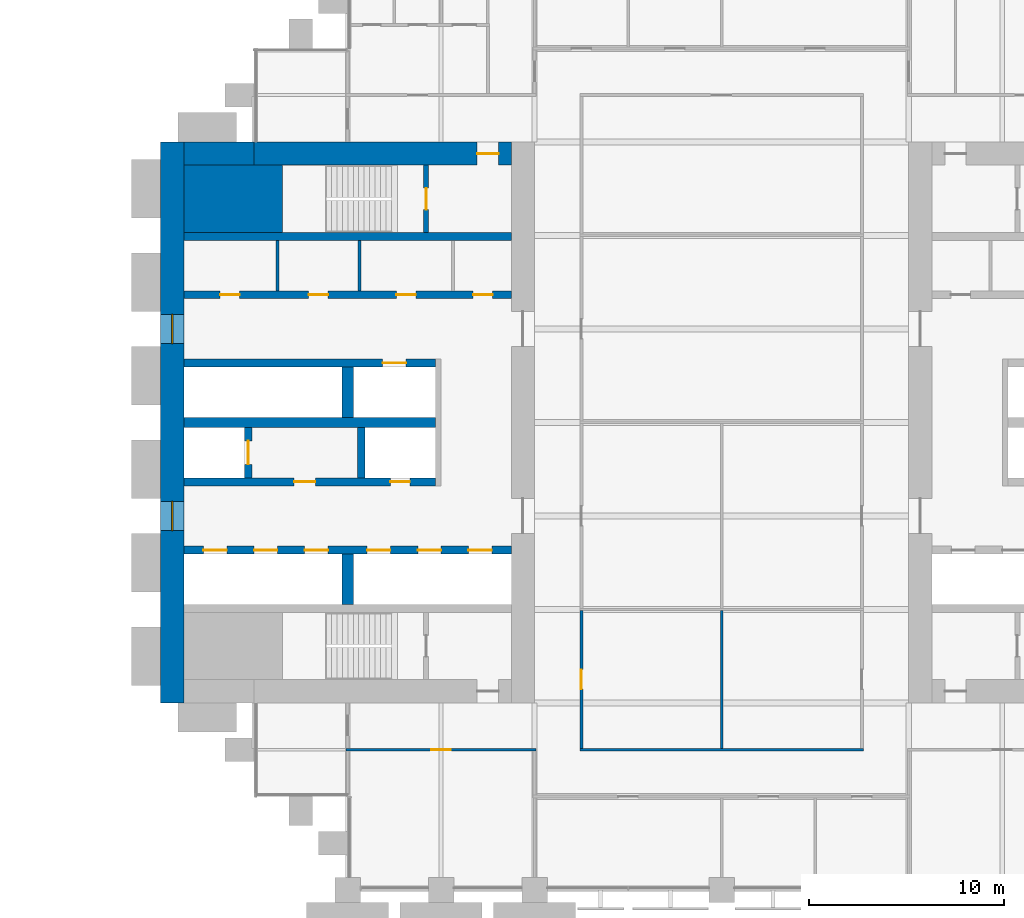
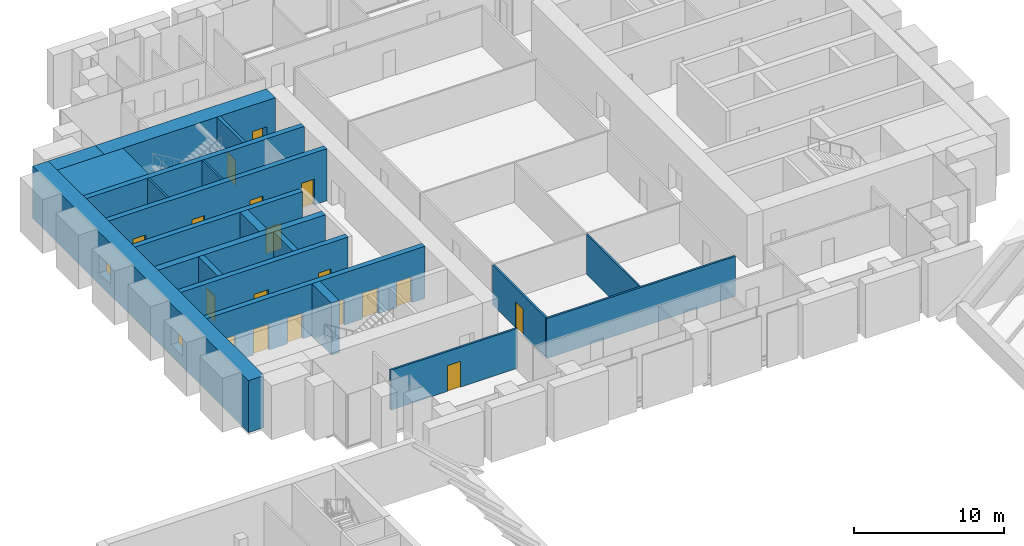
# One storey, part 21 of 30: 21 walls, 18 doors, 2 windows, 20 openings.
"""IFC4 building model written with IfcOpenShell, lengths in metres."""

from ifc_helpers import new_model, si_unit, direction, frame, frame_2d, origin, place, context, subcontext, project, spatial, rectangle, extrude, material, layer, layer_set, type_object, element, fill, save


model = new_model("IFC4")

# Units and contexts
model_context = context("Model", 3, precision=1e-05, world=origin(), true_north=direction((0.0, 1.0)))
body_context = subcontext(model_context, "Body", "Model", "MODEL_VIEW")
ifc_project = project(units=[si_unit("LENGTHUNIT", "METRE"), si_unit("AREAUNIT", "SQUARE_METRE"), si_unit("VOLUMEUNIT", "CUBIC_METRE"), si_unit("PLANEANGLEUNIT", "RADIAN"), si_unit("MASSUNIT", "GRAM", prefix="KILO")], contexts=[model_context])

# Site, building, storey
site_placement = place(None, origin())
site = spatial("IfcSite", under=ifc_project, at=site_placement, CompositionType="ELEMENT")
building_placement = place(site_placement, origin())
building = spatial("IfcBuilding", under=site, at=building_placement, Name="Baori Bourse Tower", CompositionType="ELEMENT")
storey_placement = place(building_placement, frame((0.0, 0.0, 17.0)))
storey = spatial("IfcBuildingStorey", under=building, at=storey_placement, Name="L02", CompositionType="ELEMENT", Elevation=17.0)

# Walls
ifc_material_1 = material(Name="Concrete f'c 70 MPa", Category="concrete")
wall_type_1 = type_object("IfcWallType", Name="Core corner block f'c 70", PredefinedType="SHEAR", material=ifc_material_1)
wall_1_placement = place(storey_placement, frame((1.199951171875, 35.47509765625, 0.0), z_axis=(0.0, 0.0, 1.0), x_axis=(1.0, 0.0, 0.0)))
element("IfcWall", 1, at=wall_1_placement, inside=storey, type_object=wall_type_1, Name="Core wall W22", PredefinedType="SHEAR", context=body_context, shape_type="SweptSolid", body=[
    extrude(rectangle(XDim=5.050048828125, YDim=3.449951171875, at=frame_2d((2.52490234375, 0.0))), origin(), (0.0, 0.0, 1.0), 4.239990234375),
])
ifc_material_2 = material(Name="Blockwork partition", Category="masonry")
ifc_layer_1 = layer(ifc_material_2, 0.14990234375)
ifc_layer_set_1 = layer_set([ifc_layer_1], Name="Core partition 150")
wall_type_2 = type_object("IfcWallType", Name="Core partition 150", PredefinedType="PARTITIONING", material=ifc_layer_set_1)
for number, where, z_axis, x_axis, name in (
    (2, (6.0, 30.75, 0.0), (0.0, 0.0, 1.0), (0.0, 1.0, 0.0), "Partition wall W18"),
    (3, (10.199951171875, 30.75, 0.0), (0.0, 0.0, 1.0), (0.0, 1.0, 0.0), "Partition wall W19"),
):
    element("IfcWall", number, at=place(storey_placement, frame(where, z_axis=z_axis, x_axis=x_axis)), inside=storey, type_object=wall_type_2, Name=name, PredefinedType="PARTITIONING", context=body_context, shape_type="SweptSolid", body=[
        extrude(rectangle(XDim=2.60009765625, YDim=0.14990234375, at=frame_2d((1.300048828125, 0.0))), origin(), (0.0, 0.0, 1.0), 4.239990234375),
    ])

# Wall, openings, windows
ifc_material_3 = material(Name="Concrete f'c 70 MPa", Category="concrete")
ifc_layer_2 = layer(ifc_material_3, 1.199951171875)
ifc_layer_set_2 = layer_set([ifc_layer_2], Name="Core wall 1200 f'c 70")
wall_type_3 = type_object("IfcWallType", Name="Core wall 1200 f'c 70", PredefinedType="SHEAR", material=ifc_layer_set_2)
wall_2_placement = place(storey_placement, frame((0.60009765625, 9.60009765625, 0.0), z_axis=(0.0, 0.0, 1.0), x_axis=(0.0, 1.0, 0.0)))
wall_2 = element("IfcWall", 4, at=wall_2_placement, inside=storey, type_object=wall_type_3, Name="Core wall W01", PredefinedType="SHEAR", context=body_context, shape_type="SweptSolid", body=[
    extrude(rectangle(XDim=28.7998046875, YDim=1.199951171875, at=frame_2d((14.39990234375, 0.0))), origin(), (0.0, 0.0, 1.0), 4.239990234375),
])
opening_1_placement = place(wall_2_placement, frame((8.85009765625, 0.0, 0.89990234375)))
opening_1 = element("IfcOpeningElement", 5, at=opening_1_placement, cuts=wall_2, Name="Opening L02-KW101", PredefinedType="OPENING", context=body_context, shape_type="SweptSolid", body=[
    extrude(rectangle(XDim=1.5, YDim=1.5, at=frame_2d((0.75, 0.75))), frame((0.0, 0.60986328125, 0.0), z_axis=(0.0, -1.0, 0.0), x_axis=(1.0, 0.0, 0.0)), (0.0, 0.0, 1.0), 1.219970703125),
])
opening_2_placement = place(wall_2_placement, frame((18.449951171875, 0.0, 0.89990234375)))
opening_2 = element("IfcOpeningElement", 6, at=opening_2_placement, cuts=wall_2, Name="Opening L02-KW102", PredefinedType="OPENING", context=body_context, shape_type="SweptSolid", body=[
    extrude(rectangle(XDim=1.5, YDim=1.5, at=frame_2d((0.75, 0.75))), frame((0.0, 0.60986328125, 0.0), z_axis=(0.0, -1.0, 0.0), x_axis=(1.0, 0.0, 0.0)), (0.0, 0.0, 1.0), 1.219970703125),
])
ifc_material_4 = material(Name="Pale anodised aluminium", Category="aluminium")
window_type = type_object("IfcWindowType", Name="Lobby window 1500 x 1500", PartitioningType="SINGLE_PANEL", PredefinedType="WINDOW", material=ifc_material_4)
window_1_placement = place(opening_1_placement, origin())
window_1 = element("IfcWindow", 7, at=window_1_placement, inside=storey, type_object=window_type, Name="Outer wall window W L02 1", OverallHeight=1.5, OverallWidth=1.5, PartitioningType="SINGLE_PANEL", PredefinedType="WINDOW", context=body_context, shape_type="SweptSolid", body=[
    extrude(rectangle(XDim=1.5, YDim=1.5, at=frame_2d((0.75, 0.75))), frame((0.0, 0.030029296875, 0.0), z_axis=(0.0, -1.0, 0.0), x_axis=(1.0, 0.0, 0.0)), (0.0, 0.0, 1.0), 0.06005859375),
])
fill(opening_1, window_1)
window_2_placement = place(opening_2_placement, origin())
window_2 = element("IfcWindow", 8, at=window_2_placement, inside=storey, type_object=window_type, Name="Outer wall window W L02 2", OverallHeight=1.5, OverallWidth=1.5, PartitioningType="SINGLE_PANEL", PredefinedType="WINDOW", context=body_context, shape_type="SweptSolid", body=[
    extrude(rectangle(XDim=1.5, YDim=1.5, at=frame_2d((0.75, 0.75))), frame((0.0, 0.030029296875, 0.0), z_axis=(0.0, -1.0, 0.0), x_axis=(1.0, 0.0, 0.0)), (0.0, 0.0, 1.0), 0.06005859375),
])
fill(opening_2, window_2)

# Wall
wall_3_placement = place(storey_placement, frame((1.199951171875, 37.800048828125, 0.0), z_axis=(0.0, 0.0, 1.0), x_axis=(1.0, 0.0, 0.0)))
element("IfcWall", 9, at=wall_3_placement, inside=storey, type_object=wall_type_3, Name="Core wall W24", PredefinedType="SHEAR", context=body_context, shape_type="SweptSolid", body=[
    extrude(rectangle(XDim=3.60009765625, YDim=1.199951171875, at=frame_2d((1.800048828125, 0.0))), origin(), (0.0, 0.0, 1.0), 4.239990234375),
])

# Wall, opening, door
wall_4_placement = place(storey_placement, frame((4.800048828125, 37.800048828125, 0.0), z_axis=(0.0, 0.0, 1.0), x_axis=(1.0, 0.0, 0.0)))
wall_4 = element("IfcWall", 10, at=wall_4_placement, inside=storey, type_object=wall_type_3, Name="Core wall W25", PredefinedType="SHEAR", context=body_context, shape_type="SweptSolid", body=[
    extrude(rectangle(XDim=13.199951171875, YDim=1.199951171875, at=frame_2d((6.60009765625, 0.0))), origin(), (0.0, 0.0, 1.0), 4.239990234375),
])
opening_3_placement = place(wall_4_placement, frame((11.449951171875, 0.0, 0.0)))
opening_3 = element("IfcOpeningElement", 11, at=opening_3_placement, cuts=wall_4, Name="Opening L02-D104", PredefinedType="OPENING", context=body_context, shape_type="SweptSolid", body=[
    extrude(rectangle(XDim=1.10009765625, YDim=2.10009765625, at=frame_2d((0.550048828125, 1.050048828125))), frame((0.0, 0.60986328125, 0.0), z_axis=(0.0, -1.0, 0.0), x_axis=(1.0, 0.0, 0.0)), (0.0, 0.0, 1.0), 1.219970703125),
])
ifc_material_5 = material(Name="Painted steel door", Category="steel")
door_type_1 = type_object("IfcDoorType", Name="Stair door 1100", OperationType="SINGLE_SWING_LEFT", PredefinedType="DOOR", material=ifc_material_5)
door_1_placement = place(opening_3_placement, origin())
door_1 = element("IfcDoor", 12, at=door_1_placement, inside=storey, type_object=door_type_1, Name="Stair vestibule door B W L02", OperationType="SINGLE_SWING_LEFT", OverallHeight=2.10009765625, OverallWidth=1.10009765625, PredefinedType="DOOR", context=body_context, shape_type="SweptSolid", body=[
    extrude(rectangle(XDim=1.10009765625, YDim=2.10009765625, at=frame_2d((0.550048828125, 1.050048828125))), frame((0.0, 0.02490234375, 0.0), z_axis=(0.0, -1.0, 0.0), x_axis=(1.0, 0.0, 0.0)), (0.0, 0.0, 1.0), 0.050048828125),
])
fill(opening_3, door_1)

ifc_material_6 = material(Name="Gypsum board partition")
ifc_layer_3 = layer(ifc_material_6, 0.14990234375)
ifc_layer_set_3 = layer_set([ifc_layer_3], Name="Corridor partition 150")
wall_type_4 = type_object("IfcWallType", Name="Corridor partition 150", PredefinedType="PARTITIONING", material=ifc_layer_set_3)
wall_5_placement = place(storey_placement, frame((9.52490234375, 7.199951171875, 0.0), z_axis=(0.0, 0.0, 1.0), x_axis=(1.0, 0.0, 0.0)))
wall_5 = element("IfcWall", 13, at=wall_5_placement, inside=storey, type_object=wall_type_4, Name="Partition", PredefinedType="PARTITIONING", context=body_context, shape_type="SweptSolid", body=[
    extrude(rectangle(XDim=9.75, YDim=0.14990234375, at=frame_2d((4.875, 0.0))), origin(), (0.0, 0.0, 1.0), 3.24951171875),
])
opening_4_placement = place(wall_5_placement, frame((4.375, 0.0, 0.0)))
opening_4 = element("IfcOpeningElement", 14, at=opening_4_placement, cuts=wall_5, Name="Opening L02-D04", PredefinedType="OPENING", context=body_context, shape_type="SweptSolid", body=[
    extrude(rectangle(XDim=1.0, YDim=2.10009765625, at=frame_2d((0.5, 1.050048828125))), frame((0.0, 0.0849609375, 0.0), z_axis=(0.0, -1.0, 0.0), x_axis=(1.0, 0.0, 0.0)), (0.0, 0.0, 1.0), 0.169921875),
])
ifc_material_7 = material(Name="Timber door leaf", Category="wood")
door_type_2 = type_object("IfcDoorType", Name="Door 1000 x 2100", OperationType="SINGLE_SWING_LEFT", PredefinedType="DOOR", material=ifc_material_7)
door_2_placement = place(opening_4_placement, origin())
door_2 = element("IfcDoor", 15, at=door_2_placement, inside=storey, type_object=door_type_2, Name="Door", OperationType="SINGLE_SWING_RIGHT", OverallHeight=2.10009765625, OverallWidth=1.0, PredefinedType="DOOR", context=body_context, shape_type="SweptSolid", body=[
    extrude(rectangle(XDim=1.0, YDim=2.10009765625, at=frame_2d((0.5, 1.050048828125))), frame((0.0, 0.02490234375, 0.0), z_axis=(0.0, -1.0, 0.0), x_axis=(1.0, 0.0, 0.0)), (0.0, 0.0, 1.0), 0.050048828125),
])
fill(opening_4, door_2)

# Wall
wall_6_placement = place(storey_placement, frame((21.52490234375, 7.199951171875, 0.0), z_axis=(0.0, 0.0, 1.0), x_axis=(1.0, 0.0, 0.0)))
element("IfcWall", 16, at=wall_6_placement, inside=storey, type_object=wall_type_4, Name="Partition", PredefinedType="PARTITIONING", context=body_context, shape_type="SweptSolid", body=[
    extrude(rectangle(XDim=14.550048828125, YDim=0.14990234375, at=frame_2d((7.27490234375, 0.0))), origin(), (0.0, 0.0, 1.0), 3.24951171875),
])

# Wall, opening, door
wall_7_placement = place(storey_placement, frame((21.60009765625, 7.27490234375, 0.0), z_axis=(0.0, 0.0, 1.0), x_axis=(0.0, 1.0, 0.0)))
wall_7 = element("IfcWall", 17, at=wall_7_placement, inside=storey, type_object=wall_type_4, Name="Partition", PredefinedType="PARTITIONING", context=body_context, shape_type="SweptSolid", body=[
    extrude(rectangle(XDim=7.0625, YDim=0.14990234375, at=frame_2d((3.53125, 0.0))), origin(), (0.0, 0.0, 1.0), 3.24951171875),
])
opening_5_placement = place(wall_7_placement, frame((3.03125, 0.0, 0.0)))
opening_5 = element("IfcOpeningElement", 18, at=opening_5_placement, cuts=wall_7, Name="Opening L02-D18", PredefinedType="OPENING", context=body_context, shape_type="SweptSolid", body=[
    extrude(rectangle(XDim=1.0, YDim=2.10009765625, at=frame_2d((0.5, 1.050048828125))), frame((0.0, 0.0849609375, 0.0), z_axis=(0.0, -1.0, 0.0), x_axis=(1.0, 0.0, 0.0)), (0.0, 0.0, 1.0), 0.169921875),
])
door_3_placement = place(opening_5_placement, origin())
door_3 = element("IfcDoor", 19, at=door_3_placement, inside=storey, type_object=door_type_2, Name="Door", OperationType="SINGLE_SWING_LEFT", OverallHeight=2.10009765625, OverallWidth=1.0, PredefinedType="DOOR", context=body_context, shape_type="SweptSolid", body=[
    extrude(rectangle(XDim=1.0, YDim=2.10009765625, at=frame_2d((0.5, 1.050048828125))), frame((0.0, 0.02490234375, 0.0), z_axis=(0.0, -1.0, 0.0), x_axis=(1.0, 0.0, 0.0)), (0.0, 0.0, 1.0), 0.050048828125),
])
fill(opening_5, door_3)

# Wall
ifc_material_8 = material(Name="Gypsum board partition")
ifc_layer_4 = layer(ifc_material_8, 0.125)
ifc_layer_set_4 = layer_set([ifc_layer_4], Name="Partition 125")
wall_type_5 = type_object("IfcWallType", Name="Partition 125", PredefinedType="PARTITIONING", material=ifc_layer_set_4)
wall_8_placement = place(storey_placement, frame((28.800048828125, 7.27490234375, 0.0), z_axis=(0.0, 0.0, 1.0), x_axis=(0.0, 1.0, 0.0)))
element("IfcWall", 20, at=wall_8_placement, inside=storey, type_object=wall_type_5, Name="Partition", PredefinedType="PARTITIONING", context=body_context, shape_type="SweptSolid", body=[
    extrude(rectangle(XDim=7.0625, YDim=0.125, at=frame_2d((3.53125, 0.0))), origin(), (0.0, 0.0, 1.0), 3.24951171875),
])

# Wall, opening, door
ifc_material_9 = material(Name="Concrete f'c 70 MPa", Category="concrete")
ifc_layer_5 = layer(ifc_material_9, 0.25)
ifc_layer_set_5 = layer_set([ifc_layer_5], Name="Shaft wall 250 f'c 70")
wall_type_6 = type_object("IfcWallType", Name="Shaft wall 250 f'c 70", PredefinedType="SHEAR", material=ifc_layer_set_5)
wall_9_placement = place(storey_placement, frame((13.625, 33.75, 0.0), z_axis=(0.0, 0.0, 1.0), x_axis=(0.0, 1.0, 0.0)))
wall_9 = element("IfcWall", 21, at=wall_9_placement, inside=storey, type_object=wall_type_6, Name="Core wall W23", PredefinedType="SHEAR", context=body_context, shape_type="SweptSolid", body=[
    extrude(rectangle(XDim=3.449951171875, YDim=0.25, at=frame_2d((1.72509765625, 0.0))), origin(), (0.0, 0.0, 1.0), 4.239990234375),
])
opening_6_placement = place(wall_9_placement, frame((1.175048828125, 0.0, 0.0)))
opening_6 = element("IfcOpeningElement", 22, at=opening_6_placement, cuts=wall_9, Name="Opening L02-D103", PredefinedType="OPENING", context=body_context, shape_type="SweptSolid", body=[
    extrude(rectangle(XDim=1.10009765625, YDim=2.10009765625, at=frame_2d((0.550048828125, 1.050048828125))), frame((0.0, 0.135009765625, 0.0), z_axis=(0.0, -1.0, 0.0), x_axis=(1.0, 0.0, 0.0)), (0.0, 0.0, 1.0), 0.27001953125),
])
door_4_placement = place(opening_6_placement, origin())
door_4 = element("IfcDoor", 23, at=door_4_placement, inside=storey, type_object=door_type_1, Name="Stair door B W L02", OperationType="SINGLE_SWING_LEFT", OverallHeight=2.10009765625, OverallWidth=1.10009765625, PredefinedType="DOOR", context=body_context, shape_type="SweptSolid", body=[
    extrude(rectangle(XDim=1.10009765625, YDim=2.10009765625, at=frame_2d((0.550048828125, 1.050048828125))), frame((0.0, 0.02490234375, 0.0), z_axis=(0.0, -1.0, 0.0), x_axis=(1.0, 0.0, 0.0)), (0.0, 0.0, 1.0), 0.050048828125),
])
fill(opening_6, door_4)

# Wall, openings, doors
ifc_material_10 = material(Name="Concrete f'c 70 MPa", Category="concrete")
ifc_layer_6 = layer(ifc_material_10, 0.39990234375)
ifc_layer_set_6 = layer_set([ifc_layer_6], Name="Shaft wall 400 f'c 70")
wall_type_7 = type_object("IfcWallType", Name="Shaft wall 400 f'c 70", PredefinedType="SHEAR", material=ifc_layer_set_6)
wall_10_placement = place(storey_placement, frame((1.199951171875, 17.449951171875, 0.0), z_axis=(0.0, 0.0, 1.0), x_axis=(1.0, 0.0, 0.0)))
wall_10 = element("IfcWall", 24, at=wall_10_placement, inside=storey, type_object=wall_type_7, Name="Core wall W09", PredefinedType="SHEAR", context=body_context, shape_type="SweptSolid", body=[
    extrude(rectangle(XDim=16.800048828125, YDim=0.39990234375, at=frame_2d((8.39990234375, 0.0))), origin(), (0.0, 0.0, 1.0), 4.239990234375),
])
opening_7_placement = place(wall_10_placement, frame((1.0, 0.0, 0.0)))
opening_7 = element("IfcOpeningElement", 25, at=opening_7_placement, cuts=wall_10, Name="Opening L02-D113", PredefinedType="OPENING", context=body_context, shape_type="SweptSolid", body=[
    extrude(rectangle(XDim=1.199951171875, YDim=2.10009765625, at=frame_2d((0.60009765625, 1.050048828125))), frame((0.0, 0.2099609375, 0.0), z_axis=(0.0, -1.0, 0.0), x_axis=(1.0, 0.0, 0.0)), (0.0, 0.0, 1.0), 0.419921875),
])
opening_8_placement = place(wall_10_placement, frame((3.60009765625, 0.0, 0.0)))
opening_8 = element("IfcOpeningElement", 26, at=opening_8_placement, cuts=wall_10, Name="Opening L02-D114", PredefinedType="OPENING", context=body_context, shape_type="SweptSolid", body=[
    extrude(rectangle(XDim=1.199951171875, YDim=2.10009765625, at=frame_2d((0.60009765625, 1.050048828125))), frame((0.0, 0.2099609375, 0.0), z_axis=(0.0, -1.0, 0.0), x_axis=(1.0, 0.0, 0.0)), (0.0, 0.0, 1.0), 0.419921875),
])
opening_9_placement = place(wall_10_placement, frame((6.199951171875, 0.0, 0.0)))
opening_9 = element("IfcOpeningElement", 27, at=opening_9_placement, cuts=wall_10, Name="Opening L02-D115", PredefinedType="OPENING", context=body_context, shape_type="SweptSolid", body=[
    extrude(rectangle(XDim=1.199951171875, YDim=2.10009765625, at=frame_2d((0.60009765625, 1.050048828125))), frame((0.0, 0.2099609375, 0.0), z_axis=(0.0, -1.0, 0.0), x_axis=(1.0, 0.0, 0.0)), (0.0, 0.0, 1.0), 0.419921875),
])
opening_10_placement = place(wall_10_placement, frame((9.39990234375, 0.0, 0.0)))
opening_10 = element("IfcOpeningElement", 28, at=opening_10_placement, cuts=wall_10, Name="Opening L02-D116", PredefinedType="OPENING", context=body_context, shape_type="SweptSolid", body=[
    extrude(rectangle(XDim=1.199951171875, YDim=2.10009765625, at=frame_2d((0.60009765625, 1.050048828125))), frame((0.0, 0.2099609375, 0.0), z_axis=(0.0, -1.0, 0.0), x_axis=(1.0, 0.0, 0.0)), (0.0, 0.0, 1.0), 0.419921875),
])
opening_11_placement = place(wall_10_placement, frame((12.0, 0.0, 0.0)))
opening_11 = element("IfcOpeningElement", 29, at=opening_11_placement, cuts=wall_10, Name="Opening L02-D117", PredefinedType="OPENING", context=body_context, shape_type="SweptSolid", body=[
    extrude(rectangle(XDim=1.199951171875, YDim=2.10009765625, at=frame_2d((0.60009765625, 1.050048828125))), frame((0.0, 0.2099609375, 0.0), z_axis=(0.0, -1.0, 0.0), x_axis=(1.0, 0.0, 0.0)), (0.0, 0.0, 1.0), 0.419921875),
])
opening_12_placement = place(wall_10_placement, frame((14.60009765625, 0.0, 0.0)))
opening_12 = element("IfcOpeningElement", 30, at=opening_12_placement, cuts=wall_10, Name="Opening L02-D118", PredefinedType="OPENING", context=body_context, shape_type="SweptSolid", body=[
    extrude(rectangle(XDim=1.199951171875, YDim=2.10009765625, at=frame_2d((0.60009765625, 1.050048828125))), frame((0.0, 0.2099609375, 0.0), z_axis=(0.0, -1.0, 0.0), x_axis=(1.0, 0.0, 0.0)), (0.0, 0.0, 1.0), 0.419921875),
])
ifc_material_11 = material(Name="Stainless steel door", Category="steel")
door_type_3 = type_object("IfcDoorType", Name="Lift landing door", OperationType="DOUBLE_DOOR_SLIDING", PredefinedType="DOOR", material=ifc_material_11)
door_5_placement = place(opening_7_placement, origin())
door_5 = element("IfcDoor", 31, at=door_5_placement, inside=storey, type_object=door_type_3, Name="Lift landing door LR1 W L02", OperationType="DOUBLE_DOOR_SLIDING", OverallHeight=2.10009765625, OverallWidth=1.199951171875, PredefinedType="DOOR", context=body_context, shape_type="SweptSolid", body=[
    extrude(rectangle(XDim=1.199951171875, YDim=2.10009765625, at=frame_2d((0.60009765625, 1.050048828125))), frame((0.0, 0.02490234375, 0.0), z_axis=(0.0, -1.0, 0.0), x_axis=(1.0, 0.0, 0.0)), (0.0, 0.0, 1.0), 0.050048828125),
])
fill(opening_7, door_5)
door_6_placement = place(opening_8_placement, origin())
door_6 = element("IfcDoor", 32, at=door_6_placement, inside=storey, type_object=door_type_3, Name="Lift landing door LR2 W L02", OperationType="DOUBLE_DOOR_SLIDING", OverallHeight=2.10009765625, OverallWidth=1.199951171875, PredefinedType="DOOR", context=body_context, shape_type="SweptSolid", body=[
    extrude(rectangle(XDim=1.199951171875, YDim=2.10009765625, at=frame_2d((0.60009765625, 1.050048828125))), frame((0.0, 0.02490234375, 0.0), z_axis=(0.0, -1.0, 0.0), x_axis=(1.0, 0.0, 0.0)), (0.0, 0.0, 1.0), 0.050048828125),
])
fill(opening_8, door_6)
door_7_placement = place(opening_9_placement, origin())
door_7 = element("IfcDoor", 33, at=door_7_placement, inside=storey, type_object=door_type_3, Name="Lift landing door LR3 W L02", OperationType="DOUBLE_DOOR_SLIDING", OverallHeight=2.10009765625, OverallWidth=1.199951171875, PredefinedType="DOOR", context=body_context, shape_type="SweptSolid", body=[
    extrude(rectangle(XDim=1.199951171875, YDim=2.10009765625, at=frame_2d((0.60009765625, 1.050048828125))), frame((0.0, 0.02490234375, 0.0), z_axis=(0.0, -1.0, 0.0), x_axis=(1.0, 0.0, 0.0)), (0.0, 0.0, 1.0), 0.050048828125),
])
fill(opening_9, door_7)
door_8_placement = place(opening_10_placement, origin())
door_8 = element("IfcDoor", 34, at=door_8_placement, inside=storey, type_object=door_type_3, Name="Lift landing door LR4 W L02", OperationType="DOUBLE_DOOR_SLIDING", OverallHeight=2.10009765625, OverallWidth=1.199951171875, PredefinedType="DOOR", context=body_context, shape_type="SweptSolid", body=[
    extrude(rectangle(XDim=1.199951171875, YDim=2.10009765625, at=frame_2d((0.60009765625, 1.050048828125))), frame((0.0, 0.02490234375, 0.0), z_axis=(0.0, -1.0, 0.0), x_axis=(1.0, 0.0, 0.0)), (0.0, 0.0, 1.0), 0.050048828125),
])
fill(opening_10, door_8)
door_9_placement = place(opening_11_placement, origin())
door_9 = element("IfcDoor", 35, at=door_9_placement, inside=storey, type_object=door_type_3, Name="Lift landing door LR5 W L02", OperationType="DOUBLE_DOOR_SLIDING", OverallHeight=2.10009765625, OverallWidth=1.199951171875, PredefinedType="DOOR", context=body_context, shape_type="SweptSolid", body=[
    extrude(rectangle(XDim=1.199951171875, YDim=2.10009765625, at=frame_2d((0.60009765625, 1.050048828125))), frame((0.0, 0.02490234375, 0.0), z_axis=(0.0, -1.0, 0.0), x_axis=(1.0, 0.0, 0.0)), (0.0, 0.0, 1.0), 0.050048828125),
])
fill(opening_11, door_9)
door_10_placement = place(opening_12_placement, origin())
door_10 = element("IfcDoor", 36, at=door_10_placement, inside=storey, type_object=door_type_3, Name="Lift landing door LR6 W L02", OperationType="DOUBLE_DOOR_SLIDING", OverallHeight=2.10009765625, OverallWidth=1.199951171875, PredefinedType="DOOR", context=body_context, shape_type="SweptSolid", body=[
    extrude(rectangle(XDim=1.199951171875, YDim=2.10009765625, at=frame_2d((0.60009765625, 1.050048828125))), frame((0.0, 0.02490234375, 0.0), z_axis=(0.0, -1.0, 0.0), x_axis=(1.0, 0.0, 0.0)), (0.0, 0.0, 1.0), 0.050048828125),
])
fill(opening_12, door_10)

wall_11_placement = place(storey_placement, frame((1.199951171875, 20.949951171875, 0.0), z_axis=(0.0, 0.0, 1.0), x_axis=(1.0, 0.0, 0.0)))
wall_11 = element("IfcWall", 37, at=wall_11_placement, inside=storey, type_object=wall_type_7, Name="Core wall W10", PredefinedType="SHEAR", context=body_context, shape_type="SweptSolid", body=[
    extrude(rectangle(XDim=12.900146484375, YDim=0.39990234375, at=frame_2d((6.4501953125, 0.0))), origin(), (0.0, 0.0, 1.0), 4.239990234375),
])
opening_13_placement = place(wall_11_placement, frame((5.64990234375, 0.0, 0.0)))
opening_13 = element("IfcOpeningElement", 38, at=opening_13_placement, cuts=wall_11, Name="Opening L02-D105", PredefinedType="OPENING", context=body_context, shape_type="SweptSolid", body=[
    extrude(rectangle(XDim=1.10009765625, YDim=2.10009765625, at=frame_2d((0.550048828125, 1.050048828125))), frame((0.0, 0.2099609375, 0.0), z_axis=(0.0, -1.0, 0.0), x_axis=(1.0, 0.0, 0.0)), (0.0, 0.0, 1.0), 0.419921875),
])
opening_14_placement = place(wall_11_placement, frame((10.60009765625, 0.0, 0.0)))
opening_14 = element("IfcOpeningElement", 39, at=opening_14_placement, cuts=wall_11, Name="Opening L02-D106", PredefinedType="OPENING", context=body_context, shape_type="SweptSolid", body=[
    extrude(rectangle(XDim=1.0, YDim=2.10009765625, at=frame_2d((0.5, 1.050048828125))), frame((0.0, 0.2099609375, 0.0), z_axis=(0.0, -1.0, 0.0), x_axis=(1.0, 0.0, 0.0)), (0.0, 0.0, 1.0), 0.419921875),
])
ifc_material_12 = material(Name="Painted steel door", Category="steel")
door_type_4 = type_object("IfcDoorType", Name="Lobby door 1100", OperationType="SINGLE_SWING_LEFT", PredefinedType="DOOR", material=ifc_material_12)
door_11_placement = place(opening_13_placement, origin())
door_11 = element("IfcDoor", 40, at=door_11_placement, inside=storey, type_object=door_type_4, Name="Firefighting lobby door W L02", OperationType="SINGLE_SWING_LEFT", OverallHeight=2.10009765625, OverallWidth=1.10009765625, PredefinedType="DOOR", context=body_context, shape_type="SweptSolid", body=[
    extrude(rectangle(XDim=1.10009765625, YDim=2.10009765625, at=frame_2d((0.550048828125, 1.050048828125))), frame((0.0, 0.02490234375, 0.0), z_axis=(0.0, -1.0, 0.0), x_axis=(1.0, 0.0, 0.0)), (0.0, 0.0, 1.0), 0.050048828125),
])
fill(opening_13, door_11)
ifc_material_13 = material(Name="Painted steel door", Category="steel")
door_type_5 = type_object("IfcDoorType", Name="Shaft door 1000", OperationType="SINGLE_SWING_LEFT", PredefinedType="DOOR", material=ifc_material_13)
door_12_placement = place(opening_14_placement, origin())
door_12 = element("IfcDoor", 41, at=door_12_placement, inside=storey, type_object=door_type_5, Name="Riser room door W L02", OperationType="SINGLE_SWING_LEFT", OverallHeight=2.10009765625, OverallWidth=1.0, PredefinedType="DOOR", context=body_context, shape_type="SweptSolid", body=[
    extrude(rectangle(XDim=1.0, YDim=2.10009765625, at=frame_2d((0.5, 1.050048828125))), frame((0.0, 0.02490234375, 0.0), z_axis=(0.0, -1.0, 0.0), x_axis=(1.0, 0.0, 0.0)), (0.0, 0.0, 1.0), 0.050048828125),
])
fill(opening_14, door_12)

# Wall, opening, door
wall_12_placement = place(storey_placement, frame((4.5, 21.14990234375, 0.0), z_axis=(0.0, 0.0, 1.0), x_axis=(0.0, 1.0, 0.0)))
wall_12 = element("IfcWall", 42, at=wall_12_placement, inside=storey, type_object=wall_type_7, Name="Core wall W12", PredefinedType="SHEAR", context=body_context, shape_type="SweptSolid", body=[
    extrude(rectangle(XDim=2.60009765625, YDim=0.39990234375, at=frame_2d((1.300048828125, 0.0))), origin(), (0.0, 0.0, 1.0), 4.239990234375),
])
opening_15_placement = place(wall_12_placement, frame((0.699951171875, 0.0, 0.0)))
opening_15 = element("IfcOpeningElement", 43, at=opening_15_placement, cuts=wall_12, Name="Opening L02-D120", PredefinedType="OPENING", context=body_context, shape_type="SweptSolid", body=[
    extrude(rectangle(XDim=1.199951171875, YDim=2.10009765625, at=frame_2d((0.60009765625, 1.050048828125))), frame((0.0, 0.2099609375, 0.0), z_axis=(0.0, -1.0, 0.0), x_axis=(1.0, 0.0, 0.0)), (0.0, 0.0, 1.0), 0.419921875),
])
door_13_placement = place(opening_15_placement, origin())
door_13 = element("IfcDoor", 44, at=door_13_placement, inside=storey, type_object=door_type_3, Name="Lift landing door FF1 W L02", OperationType="DOUBLE_DOOR_SLIDING", OverallHeight=2.10009765625, OverallWidth=1.199951171875, PredefinedType="DOOR", context=body_context, shape_type="SweptSolid", body=[
    extrude(rectangle(XDim=1.199951171875, YDim=2.10009765625, at=frame_2d((0.60009765625, 1.050048828125))), frame((0.0, 0.02490234375, 0.0), z_axis=(0.0, -1.0, 0.0), x_axis=(1.0, 0.0, 0.0)), (0.0, 0.0, 1.0), 0.050048828125),
])
fill(opening_15, door_13)

# Wall
wall_13_placement = place(storey_placement, frame((10.300048828125, 21.14990234375, 0.0), z_axis=(0.0, 0.0, 1.0), x_axis=(0.0, 1.0, 0.0)))
element("IfcWall", 45, at=wall_13_placement, inside=storey, type_object=wall_type_7, Name="Core wall W13", PredefinedType="SHEAR", context=body_context, shape_type="SweptSolid", body=[
    extrude(rectangle(XDim=2.60009765625, YDim=0.39990234375, at=frame_2d((1.300048828125, 0.0))), origin(), (0.0, 0.0, 1.0), 4.239990234375),
])

# Wall, opening, door
wall_14_placement = place(storey_placement, frame((1.199951171875, 27.050048828125, 0.0), z_axis=(0.0, 0.0, 1.0), x_axis=(1.0, 0.0, 0.0)))
wall_14 = element("IfcWall", 46, at=wall_14_placement, inside=storey, type_object=wall_type_7, Name="Core wall W16", PredefinedType="SHEAR", context=body_context, shape_type="SweptSolid", body=[
    extrude(rectangle(XDim=12.900146484375, YDim=0.39990234375, at=frame_2d((6.4501953125, 0.0))), origin(), (0.0, 0.0, 1.0), 4.239990234375),
])
opening_16_placement = place(wall_14_placement, frame((10.199951171875, 0.0, 0.0)))
opening_16 = element("IfcOpeningElement", 47, at=opening_16_placement, cuts=wall_14, Name="Opening L02-D119", PredefinedType="OPENING", context=body_context, shape_type="SweptSolid", body=[
    extrude(rectangle(XDim=1.199951171875, YDim=2.10009765625, at=frame_2d((0.60009765625, 1.050048828125))), frame((0.0, 0.2099609375, 0.0), z_axis=(0.0, -1.0, 0.0), x_axis=(1.0, 0.0, 0.0)), (0.0, 0.0, 1.0), 0.419921875),
])
door_14_placement = place(opening_16_placement, origin())
door_14 = element("IfcDoor", 48, at=door_14_placement, inside=storey, type_object=door_type_3, Name="Lift landing door SV1 W L02", OperationType="DOUBLE_DOOR_SLIDING", OverallHeight=2.10009765625, OverallWidth=1.199951171875, PredefinedType="DOOR", context=body_context, shape_type="SweptSolid", body=[
    extrude(rectangle(XDim=1.199951171875, YDim=2.10009765625, at=frame_2d((0.60009765625, 1.050048828125))), frame((0.0, 0.02490234375, 0.0), z_axis=(0.0, -1.0, 0.0), x_axis=(1.0, 0.0, 0.0)), (0.0, 0.0, 1.0), 0.050048828125),
])
fill(opening_16, door_14)

# Wall, openings, doors
wall_15_placement = place(storey_placement, frame((1.199951171875, 30.550048828125, 0.0), z_axis=(0.0, 0.0, 1.0), x_axis=(1.0, 0.0, 0.0)))
wall_15 = element("IfcWall", 49, at=wall_15_placement, inside=storey, type_object=wall_type_7, Name="Core wall W17", PredefinedType="SHEAR", context=body_context, shape_type="SweptSolid", body=[
    extrude(rectangle(XDim=16.800048828125, YDim=0.39990234375, at=frame_2d((8.39990234375, 0.0))), origin(), (0.0, 0.0, 1.0), 4.239990234375),
])
opening_17_placement = place(wall_15_placement, frame((1.862548828125, 0.0, 0.0)))
opening_17 = element("IfcOpeningElement", 50, at=opening_17_placement, cuts=wall_15, Name="Opening L02-D109", PredefinedType="OPENING", context=body_context, shape_type="SweptSolid", body=[
    extrude(rectangle(XDim=1.0, YDim=2.10009765625, at=frame_2d((0.5, 1.050048828125))), frame((0.0, 0.2099609375, 0.0), z_axis=(0.0, -1.0, 0.0), x_axis=(1.0, 0.0, 0.0)), (0.0, 0.0, 1.0), 0.419921875),
])
opening_18_placement = place(wall_15_placement, frame((6.39990234375, 0.0, 0.0)))
opening_18 = element("IfcOpeningElement", 51, at=opening_18_placement, cuts=wall_15, Name="Opening L02-D110", PredefinedType="OPENING", context=body_context, shape_type="SweptSolid", body=[
    extrude(rectangle(XDim=1.0, YDim=2.10009765625, at=frame_2d((0.5, 1.050048828125))), frame((0.0, 0.2099609375, 0.0), z_axis=(0.0, -1.0, 0.0), x_axis=(1.0, 0.0, 0.0)), (0.0, 0.0, 1.0), 0.419921875),
])
opening_19_placement = place(wall_15_placement, frame((10.89990234375, 0.0, 0.0)))
opening_19 = element("IfcOpeningElement", 52, at=opening_19_placement, cuts=wall_15, Name="Opening L02-D111", PredefinedType="OPENING", context=body_context, shape_type="SweptSolid", body=[
    extrude(rectangle(XDim=1.0, YDim=2.10009765625, at=frame_2d((0.5, 1.050048828125))), frame((0.0, 0.2099609375, 0.0), z_axis=(0.0, -1.0, 0.0), x_axis=(1.0, 0.0, 0.0)), (0.0, 0.0, 1.0), 0.419921875),
])
opening_20_placement = place(wall_15_placement, frame((14.83740234375, 0.0, 0.0)))
opening_20 = element("IfcOpeningElement", 53, at=opening_20_placement, cuts=wall_15, Name="Opening L02-D112", PredefinedType="OPENING", context=body_context, shape_type="SweptSolid", body=[
    extrude(rectangle(XDim=1.0, YDim=2.10009765625, at=frame_2d((0.5, 1.050048828125))), frame((0.0, 0.2099609375, 0.0), z_axis=(0.0, -1.0, 0.0), x_axis=(1.0, 0.0, 0.0)), (0.0, 0.0, 1.0), 0.419921875),
])
ifc_material_14 = material(Name="Painted steel door", Category="steel")
door_type_6 = type_object("IfcDoorType", Name="Core door 1000", OperationType="SINGLE_SWING_LEFT", PredefinedType="DOOR", material=ifc_material_14)
door_15_placement = place(opening_17_placement, origin())
door_15 = element("IfcDoor", 54, at=door_15_placement, inside=storey, type_object=door_type_6, Name="Men'S Wc door W L02", OperationType="SINGLE_SWING_LEFT", OverallHeight=2.10009765625, OverallWidth=1.0, PredefinedType="DOOR", context=body_context, shape_type="SweptSolid", body=[
    extrude(rectangle(XDim=1.0, YDim=2.10009765625, at=frame_2d((0.5, 1.050048828125))), frame((0.0, 0.02490234375, 0.0), z_axis=(0.0, -1.0, 0.0), x_axis=(1.0, 0.0, 0.0)), (0.0, 0.0, 1.0), 0.050048828125),
])
fill(opening_17, door_15)
door_16_placement = place(opening_18_placement, origin())
door_16 = element("IfcDoor", 55, at=door_16_placement, inside=storey, type_object=door_type_6, Name="Accessible Wc door W L02", OperationType="SINGLE_SWING_LEFT", OverallHeight=2.10009765625, OverallWidth=1.0, PredefinedType="DOOR", context=body_context, shape_type="SweptSolid", body=[
    extrude(rectangle(XDim=1.0, YDim=2.10009765625, at=frame_2d((0.5, 1.050048828125))), frame((0.0, 0.02490234375, 0.0), z_axis=(0.0, -1.0, 0.0), x_axis=(1.0, 0.0, 0.0)), (0.0, 0.0, 1.0), 0.050048828125),
])
fill(opening_18, door_16)
door_17_placement = place(opening_19_placement, origin())
door_17 = element("IfcDoor", 56, at=door_17_placement, inside=storey, type_object=door_type_6, Name="Women'S Wc door W L02", OperationType="SINGLE_SWING_LEFT", OverallHeight=2.10009765625, OverallWidth=1.0, PredefinedType="DOOR", context=body_context, shape_type="SweptSolid", body=[
    extrude(rectangle(XDim=1.0, YDim=2.10009765625, at=frame_2d((0.5, 1.050048828125))), frame((0.0, 0.02490234375, 0.0), z_axis=(0.0, -1.0, 0.0), x_axis=(1.0, 0.0, 0.0)), (0.0, 0.0, 1.0), 0.050048828125),
])
fill(opening_19, door_17)
ifc_material_15 = material(Name="Painted steel door", Category="steel")
door_type_7 = type_object("IfcDoorType", Name="Plant room door 1000", OperationType="SINGLE_SWING_LEFT", PredefinedType="DOOR", material=ifc_material_15)
door_18_placement = place(opening_20_placement, origin())
door_18 = element("IfcDoor", 57, at=door_18_placement, inside=storey, type_object=door_type_7, Name="Electrical Room door W L02", OperationType="SINGLE_SWING_LEFT", OverallHeight=2.10009765625, OverallWidth=1.0, PredefinedType="DOOR", context=body_context, shape_type="SweptSolid", body=[
    extrude(rectangle(XDim=1.0, YDim=2.10009765625, at=frame_2d((0.5, 1.050048828125))), frame((0.0, 0.02490234375, 0.0), z_axis=(0.0, -1.0, 0.0), x_axis=(1.0, 0.0, 0.0)), (0.0, 0.0, 1.0), 0.050048828125),
])
fill(opening_20, door_18)

# Walls
wall_16_placement = place(storey_placement, frame((1.199951171875, 33.550048828125, 0.0), z_axis=(0.0, 0.0, 1.0), x_axis=(1.0, 0.0, 0.0)))
element("IfcWall", 58, at=wall_16_placement, inside=storey, type_object=wall_type_7, Name="Core wall W21", PredefinedType="SHEAR", context=body_context, shape_type="SweptSolid", body=[
    extrude(rectangle(XDim=16.800048828125, YDim=0.39990234375, at=frame_2d((8.39990234375, 0.0))), origin(), (0.0, 0.0, 1.0), 4.239990234375),
])
ifc_material_16 = material(Name="Concrete f'c 70 MPa", Category="concrete")
ifc_layer_7 = layer(ifc_material_16, 0.5)
ifc_layer_set_7 = layer_set([ifc_layer_7], Name="Shaft wall 500 f'c 70")
wall_type_8 = type_object("IfcWallType", Name="Shaft wall 500 f'c 70", PredefinedType="SHEAR", material=ifc_layer_set_7)
wall_17_placement = place(storey_placement, frame((1.199951171875, 24.0, 0.0), z_axis=(0.0, 0.0, 1.0), x_axis=(1.0, 0.0, 0.0)))
element("IfcWall", 59, at=wall_17_placement, inside=storey, type_object=wall_type_8, Name="Core wall W14", PredefinedType="SHEAR", context=body_context, shape_type="SweptSolid", body=[
    extrude(rectangle(XDim=12.900146484375, YDim=0.5, at=frame_2d((6.4501953125, 0.0))), origin(), (0.0, 0.0, 1.0), 4.239990234375),
])
ifc_material_17 = material(Name="Concrete f'c 70 MPa", Category="concrete")
ifc_layer_8 = layer(ifc_material_17, 0.60009765625)
ifc_layer_set_8 = layer_set([ifc_layer_8], Name="Shaft wall 600 f'c 70")
wall_type_9 = type_object("IfcWallType", Name="Shaft wall 600 f'c 70", PredefinedType="SHEAR", material=ifc_layer_set_8)
for number, where, z_axis, x_axis, name in (
    (60, (9.60009765625, 14.64990234375, 0.0), (0.0, 0.0, 1.0), (0.0, 1.0, 0.0), "Core wall W08"),
    (61, (9.60009765625, 24.25, 0.0), (0.0, 0.0, 1.0), (0.0, 1.0, 0.0), "Core wall W15"),
):
    element("IfcWall", number, at=place(storey_placement, frame(where, z_axis=z_axis, x_axis=x_axis)), inside=storey, type_object=wall_type_9, Name=name, PredefinedType="SHEAR", context=body_context, shape_type="SweptSolid", body=[
        extrude(rectangle(XDim=2.60009765625, YDim=0.60009765625, at=frame_2d((1.300048828125, 0.0))), origin(), (0.0, 0.0, 1.0), 4.239990234375),
    ])

save(model, "model.ifc")
